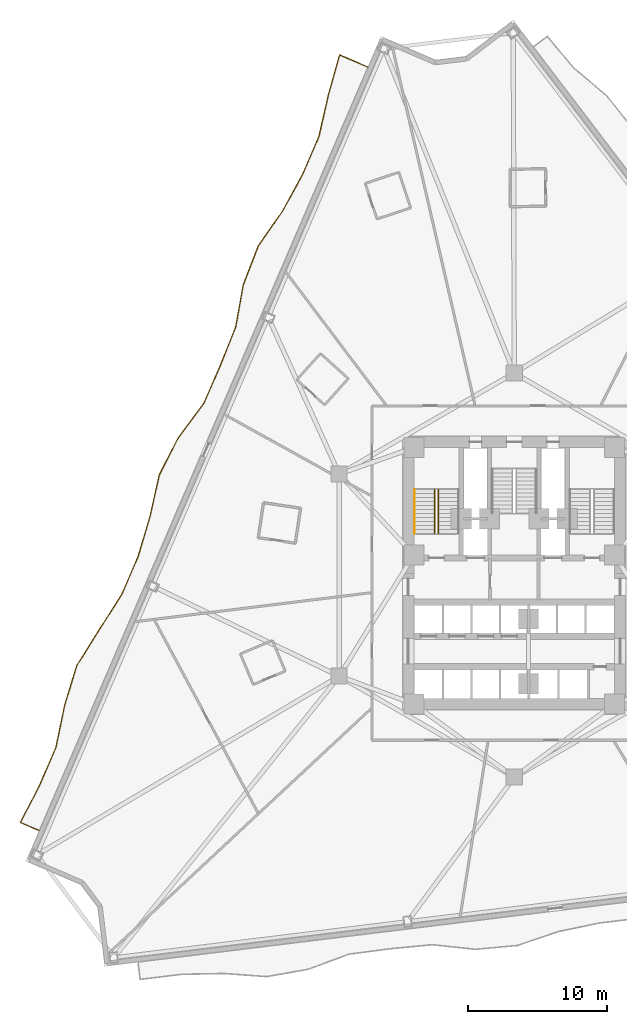
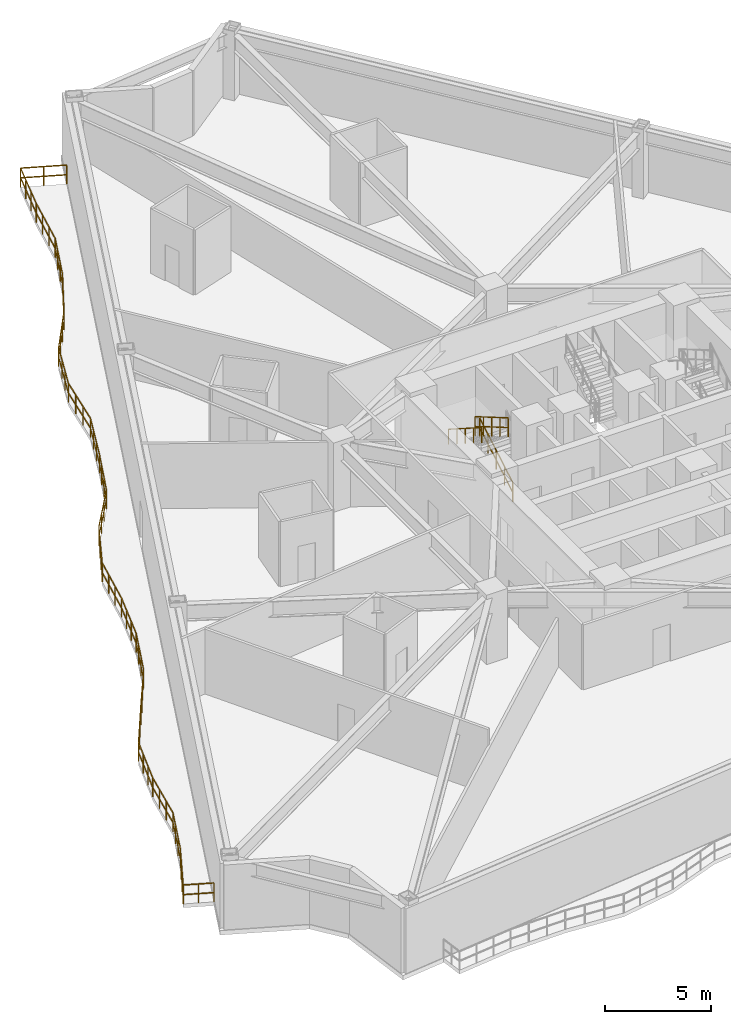
# One storey, part 10 of 12: 4 railings.
"""IFC4 building model written with IfcOpenShell, lengths in metres."""

from ifc_helpers import new_model, si_unit, direction, frame, origin, origin_2d, place, context, subcontext, project, spatial, rectangle, extrude, material, type_object, element, save


model = new_model("IFC4")

# Units and contexts
model_context = context("Model", 3, precision=1e-05, world=origin(), true_north=direction((0.0, 1.0)))
body_context = subcontext(model_context, "Body", "Model", "MODEL_VIEW")
ifc_project = project(units=[si_unit("LENGTHUNIT", "METRE"), si_unit("AREAUNIT", "SQUARE_METRE"), si_unit("VOLUMEUNIT", "CUBIC_METRE"), si_unit("PLANEANGLEUNIT", "RADIAN"), si_unit("MASSUNIT", "GRAM", prefix="KILO")], contexts=[model_context])

# Site, building, storey
site_placement = place(None, origin())
site = spatial("IfcSite", under=ifc_project, at=site_placement, CompositionType="ELEMENT")
building_placement = place(site_placement, origin())
building = spatial("IfcBuilding", under=site, at=building_placement, Name="Apsidion Concourse Tower", CompositionType="ELEMENT")
storey_placement = place(building_placement, frame((0.0, 0.0, 83.0)))
storey = spatial("IfcBuildingStorey", under=building, at=storey_placement, Name="L18", CompositionType="ELEMENT", Elevation=83.0)

# Railings
ifc_material = material(Name="Brushed stainless steel 316", Category="steel")
railing_type_1 = type_object("IfcRailingType", Name="RL-BAL-1120", PredefinedType="BALUSTRADE", material=ifc_material)
railing_1_placement = place(storey_placement, frame((-34.10107421875, -18.32958984375, 0.0)))
element("IfcRailing", 1, at=railing_1_placement, inside=storey, type_object=railing_type_1, Name="L18 Face 1 Rippling Balcony Balustrade", PredefinedType="BALUSTRADE", context=body_context, shape_type="SweptSolid", body=[
    extrude(rectangle(XDim=0.048095703125, YDim=0.048095703125, at=origin_2d()), frame((0.0, 0.0, 1.09619140625), z_axis=(-0.918531049472, 0.39534884742, 0.0), x_axis=(-0.39534884742, -0.918531049472, 0.0)), (0.0, 0.0, 1.0), 1.462890625),
    extrude(rectangle(XDim=0.048095703125, YDim=0.048095703125, at=origin_2d()), frame((0.0, 0.0, 0.5361328125), z_axis=(-0.918531049472, 0.39534884742, 0.0), x_axis=(-0.39534884742, -0.918531049472, 0.0)), (0.0, 0.0, 1.0), 1.462890625),
    extrude(rectangle(XDim=0.048095703125, YDim=0.048095703125, at=origin_2d()), frame((-1.34375, 0.578369140625, 1.09619140625), z_axis=(0.459871490877, 0.887985479543, 0.0), x_axis=(-0.887985479543, 0.459871490877, 0.0)), (0.0, 0.0, 1.0), 2.990478515625),
    extrude(rectangle(XDim=0.048095703125, YDim=0.048095703125, at=origin_2d()), frame((-1.34375, 0.578369140625, 0.5361328125), z_axis=(0.459871490877, 0.887985479543, 0.0), x_axis=(-0.887985479543, 0.459871490877, 0.0)), (0.0, 0.0, 1.0), 2.990478515625),
    extrude(rectangle(XDim=0.048095703125, YDim=0.048095703125, at=origin_2d()), frame((0.031494140625, 3.23388671875, 1.09619140625), z_axis=(0.395380675093, 0.918517349734, 0.0), x_axis=(-0.918517349734, 0.395380675093, 0.0)), (0.0, 0.0, 1.0), 2.983154296875),
    extrude(rectangle(XDim=0.048095703125, YDim=0.048095703125, at=origin_2d()), frame((0.031494140625, 3.23388671875, 0.5361328125), z_axis=(0.395380675093, 0.918517349734, 0.0), x_axis=(-0.918517349734, 0.395380675093, 0.0)), (0.0, 0.0, 1.0), 2.983154296875),
    extrude(rectangle(XDim=0.048095703125, YDim=0.048095703125, at=origin_2d()), frame((1.2109375, 5.973876953125, 1.09619140625), z_axis=(0.201677799553, 0.979451920804, 0.0), x_axis=(-0.979451920804, 0.201677799553, 0.0)), (0.0, 0.0, 1.0), 3.045654296875),
    extrude(rectangle(XDim=0.048095703125, YDim=0.048095703125, at=origin_2d()), frame((1.2109375, 5.973876953125, 0.5361328125), z_axis=(0.201677799553, 0.979451920804, 0.0), x_axis=(-0.979451920804, 0.201677799553, 0.0)), (0.0, 0.0, 1.0), 3.045654296875),
    extrude(rectangle(XDim=0.048095703125, YDim=0.048095703125, at=origin_2d()), frame((1.8251953125, 8.95703125, 1.09619140625), z_axis=(0.291718344257, 0.9565042643, 0.0), x_axis=(-0.9565042643, 0.291718344257, 0.0)), (0.0, 0.0, 1.0), 3.001220703125),
    extrude(rectangle(XDim=0.048095703125, YDim=0.048095703125, at=origin_2d()), frame((1.8251953125, 8.95703125, 0.5361328125), z_axis=(0.291718344257, 0.9565042643, 0.0), x_axis=(-0.9565042643, 0.291718344257, 0.0)), (0.0, 0.0, 1.0), 3.001220703125),
    extrude(rectangle(XDim=0.048095703125, YDim=0.048095703125, at=origin_2d()), frame((2.70068359375, 11.82763671875, 1.09619140625), z_axis=(0.530500569664, 0.847684579066, 0.0), x_axis=(-0.847684579066, 0.530500569664, 0.0)), (0.0, 0.0, 1.0), 3.01806640625),
    extrude(rectangle(XDim=0.048095703125, YDim=0.048095703125, at=origin_2d()), frame((2.70068359375, 11.82763671875, 0.5361328125), z_axis=(0.530500569664, 0.847684579066, 0.0), x_axis=(-0.847684579066, 0.530500569664, 0.0)), (0.0, 0.0, 1.0), 3.01806640625),
    extrude(rectangle(XDim=0.048095703125, YDim=0.048095703125, at=origin_2d()), frame((4.3017578125, 14.385986328125, 1.09619140625), z_axis=(0.538359003086, 0.842715600779, 0.0), x_axis=(-0.842715600779, 0.538359003086, 0.0)), (0.0, 0.0, 1.0), 3.0224609375),
    extrude(rectangle(XDim=0.048095703125, YDim=0.048095703125, at=origin_2d()), frame((4.3017578125, 14.385986328125, 0.5361328125), z_axis=(0.538359003086, 0.842715600779, 0.0), x_axis=(-0.842715600779, 0.538359003086, 0.0)), (0.0, 0.0, 1.0), 3.0224609375),
    extrude(rectangle(XDim=0.048095703125, YDim=0.048095703125, at=origin_2d()), frame((5.928955078125, 16.93310546875, 1.09619140625), z_axis=(0.395410399338, 0.918504554205, 0.0), x_axis=(-0.918504554205, 0.395410399338, 0.0)), (0.0, 0.0, 1.0), 2.98291015625),
    extrude(rectangle(XDim=0.048095703125, YDim=0.048095703125, at=origin_2d()), frame((5.928955078125, 16.93310546875, 0.5361328125), z_axis=(0.395410399338, 0.918504554205, 0.0), x_axis=(-0.918504554205, 0.395410399338, 0.0)), (0.0, 0.0, 1.0), 2.98291015625),
    extrude(rectangle(XDim=0.048095703125, YDim=0.048095703125, at=origin_2d()), frame((7.1083984375, 19.6728515625, 1.09619140625), z_axis=(0.284968249716, 0.958536956332, 0.0), x_axis=(-0.958536956332, 0.284968249716, 0.0)), (0.0, 0.0, 1.0), 3.003662109375),
    extrude(rectangle(XDim=0.048095703125, YDim=0.048095703125, at=origin_2d()), frame((7.1083984375, 19.6728515625, 0.5361328125), z_axis=(0.284968249716, 0.958536956332, 0.0), x_axis=(-0.958536956332, 0.284968249716, 0.0)), (0.0, 0.0, 1.0), 3.003662109375),
    extrude(rectangle(XDim=0.048095703125, YDim=0.048095703125, at=origin_2d()), frame((7.96435546875, 22.552001953125, 1.09619140625), z_axis=(0.217534982287, 0.97605252496, 0.0), x_axis=(-0.97605252496, 0.217534982287, 0.0)), (0.0, 0.0, 1.0), 3.035888671875),
    extrude(rectangle(XDim=0.048095703125, YDim=0.048095703125, at=origin_2d()), frame((7.96435546875, 22.552001953125, 0.5361328125), z_axis=(0.217534982287, 0.97605252496, 0.0), x_axis=(-0.97605252496, 0.217534982287, 0.0)), (0.0, 0.0, 1.0), 3.035888671875),
    extrude(rectangle(XDim=0.048095703125, YDim=0.048095703125, at=origin_2d()), frame((8.624755859375, 25.51513671875, 1.09619140625), z_axis=(0.452824232773, 0.891599806087, 0.0), x_axis=(-0.891599806087, 0.452824232773, 0.0)), (0.0, 0.0, 1.0), 2.989013671875),
    extrude(rectangle(XDim=0.048095703125, YDim=0.048095703125, at=origin_2d()), frame((8.624755859375, 25.51513671875, 0.5361328125), z_axis=(0.452824232773, 0.891599806087, 0.0), x_axis=(-0.891599806087, 0.452824232773, 0.0)), (0.0, 0.0, 1.0), 2.989013671875),
    extrude(rectangle(XDim=0.048095703125, YDim=0.048095703125, at=origin_2d()), frame((9.978271484375, 28.18017578125, 1.09619140625), z_axis=(0.597960005297, 0.801525939733, 0.0), x_axis=(-0.801525939733, 0.597960005297, 0.0)), (0.0, 0.0, 1.0), 3.066650390625),
    extrude(rectangle(XDim=0.048095703125, YDim=0.048095703125, at=origin_2d()), frame((9.978271484375, 28.18017578125, 0.5361328125), z_axis=(0.597960005297, 0.801525939733, 0.0), x_axis=(-0.801525939733, 0.597960005297, 0.0)), (0.0, 0.0, 1.0), 3.066650390625),
    extrude(rectangle(XDim=0.048095703125, YDim=0.048095703125, at=origin_2d()), frame((11.81201171875, 30.63818359375, 1.09619140625), z_axis=(0.400191935182, 0.916431347683, 0.0), x_axis=(-0.916431347683, 0.400191935182, 0.0)), (0.0, 0.0, 1.0), 2.983154296875),
    extrude(rectangle(XDim=0.048095703125, YDim=0.048095703125, at=origin_2d()), frame((11.81201171875, 30.63818359375, 0.5361328125), z_axis=(0.400191935182, 0.916431347683, 0.0), x_axis=(-0.916431347683, 0.400191935182, 0.0)), (0.0, 0.0, 1.0), 2.983154296875),
    extrude(rectangle(XDim=0.048095703125, YDim=0.048095703125, at=origin_2d()), frame((13.005859375, 33.3720703125, 1.09619140625), z_axis=(0.370727555492, 0.928741664619, 0.0), x_axis=(-0.928741664619, 0.370727555492, 0.0)), (0.0, 0.0, 1.0), 2.98388671875),
    extrude(rectangle(XDim=0.048095703125, YDim=0.048095703125, at=origin_2d()), frame((13.005859375, 33.3720703125, 0.5361328125), z_axis=(0.370727555492, 0.928741664619, 0.0), x_axis=(-0.928741664619, 0.370727555492, 0.0)), (0.0, 0.0, 1.0), 2.98388671875),
    extrude(rectangle(XDim=0.048095703125, YDim=0.048095703125, at=origin_2d()), frame((14.112060546875, 36.143310546875, 1.09619140625), z_axis=(0.175721682971, 0.984439886501, 0.0), x_axis=(-0.984439886501, 0.175721682971, 0.0)), (0.0, 0.0, 1.0), 3.0634765625),
    extrude(rectangle(XDim=0.048095703125, YDim=0.048095703125, at=origin_2d()), frame((14.112060546875, 36.143310546875, 0.5361328125), z_axis=(0.175721682971, 0.984439886501, 0.0), x_axis=(-0.984439886501, 0.175721682971, 0.0)), (0.0, 0.0, 1.0), 3.0634765625),
    extrude(rectangle(XDim=0.048095703125, YDim=0.048095703125, at=origin_2d()), frame((14.650390625, 39.1591796875, 1.09619140625), z_axis=(0.360025640688, 0.932942408752, 0.0), x_axis=(-0.932942408752, 0.360025640688, 0.0)), (0.0, 0.0, 1.0), 2.985107421875),
    extrude(rectangle(XDim=0.048095703125, YDim=0.048095703125, at=origin_2d()), frame((14.650390625, 39.1591796875, 0.5361328125), z_axis=(0.360025640688, 0.932942408752, 0.0), x_axis=(-0.932942408752, 0.360025640688, 0.0)), (0.0, 0.0, 1.0), 2.985107421875),
    extrude(rectangle(XDim=0.048095703125, YDim=0.048095703125, at=origin_2d()), frame((15.72509765625, 41.944091796875, 1.09619140625), z_axis=(0.57128062654, 0.820754802447, 0.0), x_axis=(-0.820754802447, 0.57128062654, 0.0)), (0.0, 0.0, 1.0), 3.04443359375),
    extrude(rectangle(XDim=0.048095703125, YDim=0.048095703125, at=origin_2d()), frame((15.72509765625, 41.944091796875, 0.5361328125), z_axis=(0.57128062654, 0.820754802447, 0.0), x_axis=(-0.820754802447, 0.57128062654, 0.0)), (0.0, 0.0, 1.0), 3.04443359375),
    extrude(rectangle(XDim=0.048095703125, YDim=0.048095703125, at=origin_2d()), frame((17.46435546875, 44.44287109375, 1.09619140625), z_axis=(0.480244476552, 0.877134677653, 0.0), x_axis=(-0.877134677653, 0.480244476552, 0.0)), (0.0, 0.0, 1.0), 2.996337890625),
    extrude(rectangle(XDim=0.048095703125, YDim=0.048095703125, at=origin_2d()), frame((17.46435546875, 44.44287109375, 0.5361328125), z_axis=(0.480244476552, 0.877134677653, 0.0), x_axis=(-0.877134677653, 0.480244476552, 0.0)), (0.0, 0.0, 1.0), 2.996337890625),
    extrude(rectangle(XDim=0.048095703125, YDim=0.048095703125, at=origin_2d()), frame((18.9033203125, 47.071044921875, 1.09619140625), z_axis=(0.395410399338, 0.918504554205, 0.0), x_axis=(-0.918504554205, 0.395410399338, 0.0)), (0.0, 0.0, 1.0), 2.98291015625),
    extrude(rectangle(XDim=0.048095703125, YDim=0.048095703125, at=origin_2d()), frame((18.9033203125, 47.071044921875, 0.5361328125), z_axis=(0.395410399338, 0.918504554205, 0.0), x_axis=(-0.918504554205, 0.395410399338, 0.0)), (0.0, 0.0, 1.0), 2.98291015625),
    extrude(rectangle(XDim=0.048095703125, YDim=0.048095703125, at=origin_2d()), frame((20.082763671875, 49.810791015625, 1.09619140625), z_axis=(0.221461103635, 0.975169205613, 0.0), x_axis=(-0.975169205613, 0.221461103635, 0.0)), (0.0, 0.0, 1.0), 3.033935546875),
    extrude(rectangle(XDim=0.048095703125, YDim=0.048095703125, at=origin_2d()), frame((20.082763671875, 49.810791015625, 0.5361328125), z_axis=(0.221461103635, 0.975169205613, 0.0), x_axis=(-0.975169205613, 0.221461103635, 0.0)), (0.0, 0.0, 1.0), 3.033935546875),
    extrude(rectangle(XDim=0.048095703125, YDim=0.048095703125, at=origin_2d()), frame((20.754638671875, 52.769287109375, 1.09619140625), z_axis=(0.270722082934, 0.962657547528, 0.0), x_axis=(-0.962657547528, 0.270722082934, 0.0)), (0.0, 0.0, 1.0), 3.00927734375),
    extrude(rectangle(XDim=0.048095703125, YDim=0.048095703125, at=origin_2d()), frame((20.754638671875, 52.769287109375, 0.5361328125), z_axis=(0.270722082934, 0.962657547528, 0.0), x_axis=(-0.962657547528, 0.270722082934, 0.0)), (0.0, 0.0, 1.0), 3.00927734375),
    extrude(rectangle(XDim=0.048095703125, YDim=0.048095703125, at=origin_2d()), frame((21.5693359375, 55.666259765625, 1.09619140625), z_axis=(0.918512458829, -0.395392037067, 0.0), x_axis=(0.395392037067, 0.918512458829, 0.0)), (0.0, 0.0, 1.0), 2.199951171875),
    extrude(rectangle(XDim=0.048095703125, YDim=0.048095703125, at=origin_2d()), frame((21.5693359375, 55.666259765625, 0.5361328125), z_axis=(0.918512458829, -0.395392037067, 0.0), x_axis=(0.395392037067, 0.918512458829, 0.0)), (0.0, 0.0, 1.0), 2.199951171875),
    extrude(rectangle(XDim=0.0419921875, YDim=0.0419921875, at=origin_2d()), origin(), (0.0, 0.0, 1.0), 1.072021484375),
    extrude(rectangle(XDim=0.0419921875, YDim=0.0419921875, at=origin_2d()), frame((-0.671875, 0.2890625, 0.0)), (0.0, 0.0, 1.0), 1.072021484375),
    extrude(rectangle(XDim=0.0419921875, YDim=0.0419921875, at=origin_2d()), frame((-1.34375, 0.578369140625, 0.0)), (0.0, 0.0, 1.0), 1.072021484375),
    extrude(rectangle(XDim=0.0419921875, YDim=0.0419921875, at=origin_2d()), frame((-0.88525390625, 1.463623046875, 0.0)), (0.0, 0.0, 1.0), 1.072021484375),
    extrude(rectangle(XDim=0.0419921875, YDim=0.0419921875, at=origin_2d()), frame((-0.427001953125, 2.3486328125, 0.0)), (0.0, 0.0, 1.0), 1.072021484375),
    extrude(rectangle(XDim=0.0419921875, YDim=0.0419921875, at=origin_2d()), frame((0.031494140625, 3.23388671875, 0.0)), (0.0, 0.0, 1.0), 1.072021484375),
    extrude(rectangle(XDim=0.0419921875, YDim=0.0419921875, at=origin_2d()), frame((0.424560546875, 4.147216796875, 0.0)), (0.0, 0.0, 1.0), 1.072021484375),
    extrude(rectangle(XDim=0.0419921875, YDim=0.0419921875, at=origin_2d()), frame((0.81787109375, 5.060546875, 0.0)), (0.0, 0.0, 1.0), 1.072021484375),
    extrude(rectangle(XDim=0.0419921875, YDim=0.0419921875, at=origin_2d()), frame((1.2109375, 5.973876953125, 0.0)), (0.0, 0.0, 1.0), 1.072021484375),
    extrude(rectangle(XDim=0.0419921875, YDim=0.0419921875, at=origin_2d()), frame((1.415771484375, 6.96826171875, 0.0)), (0.0, 0.0, 1.0), 1.072021484375),
    extrude(rectangle(XDim=0.0419921875, YDim=0.0419921875, at=origin_2d()), frame((1.620361328125, 7.962646484375, 0.0)), (0.0, 0.0, 1.0), 1.072021484375),
    extrude(rectangle(XDim=0.0419921875, YDim=0.0419921875, at=origin_2d()), frame((1.8251953125, 8.95703125, 0.0)), (0.0, 0.0, 1.0), 1.072021484375),
    extrude(rectangle(XDim=0.0419921875, YDim=0.0419921875, at=origin_2d()), frame((2.116943359375, 9.913818359375, 0.0)), (0.0, 0.0, 1.0), 1.072021484375),
    extrude(rectangle(XDim=0.0419921875, YDim=0.0419921875, at=origin_2d()), frame((2.408935546875, 10.870849609375, 0.0)), (0.0, 0.0, 1.0), 1.072021484375),
    extrude(rectangle(XDim=0.0419921875, YDim=0.0419921875, at=origin_2d()), frame((2.70068359375, 11.82763671875, 0.0)), (0.0, 0.0, 1.0), 1.072021484375),
    extrude(rectangle(XDim=0.0419921875, YDim=0.0419921875, at=origin_2d()), frame((3.234375, 12.680419921875, 0.0)), (0.0, 0.0, 1.0), 1.072021484375),
    extrude(rectangle(XDim=0.0419921875, YDim=0.0419921875, at=origin_2d()), frame((3.76806640625, 13.533203125, 0.0)), (0.0, 0.0, 1.0), 1.072021484375),
    extrude(rectangle(XDim=0.0419921875, YDim=0.0419921875, at=origin_2d()), frame((4.3017578125, 14.385986328125, 0.0)), (0.0, 0.0, 1.0), 1.072021484375),
    extrude(rectangle(XDim=0.0419921875, YDim=0.0419921875, at=origin_2d()), frame((4.84423828125, 15.235107421875, 0.0)), (0.0, 0.0, 1.0), 1.072021484375),
    extrude(rectangle(XDim=0.0419921875, YDim=0.0419921875, at=origin_2d()), frame((5.386474609375, 16.083984375, 0.0)), (0.0, 0.0, 1.0), 1.072021484375),
    extrude(rectangle(XDim=0.0419921875, YDim=0.0419921875, at=origin_2d()), frame((5.928955078125, 16.93310546875, 0.0)), (0.0, 0.0, 1.0), 1.072021484375),
    extrude(rectangle(XDim=0.0419921875, YDim=0.0419921875, at=origin_2d()), frame((6.322021484375, 17.846435546875, 0.0)), (0.0, 0.0, 1.0), 1.072021484375),
    extrude(rectangle(XDim=0.0419921875, YDim=0.0419921875, at=origin_2d()), frame((6.71533203125, 18.759521484375, 0.0)), (0.0, 0.0, 1.0), 1.072021484375),
    extrude(rectangle(XDim=0.0419921875, YDim=0.0419921875, at=origin_2d()), frame((7.1083984375, 19.6728515625, 0.0)), (0.0, 0.0, 1.0), 1.072021484375),
    extrude(rectangle(XDim=0.0419921875, YDim=0.0419921875, at=origin_2d()), frame((7.393798828125, 20.632568359375, 0.0)), (0.0, 0.0, 1.0), 1.072021484375),
    extrude(rectangle(XDim=0.0419921875, YDim=0.0419921875, at=origin_2d()), frame((7.678955078125, 21.59228515625, 0.0)), (0.0, 0.0, 1.0), 1.072021484375),
    extrude(rectangle(XDim=0.0419921875, YDim=0.0419921875, at=origin_2d()), frame((7.96435546875, 22.552001953125, 0.0)), (0.0, 0.0, 1.0), 1.072021484375),
    extrude(rectangle(XDim=0.0419921875, YDim=0.0419921875, at=origin_2d()), frame((8.1845703125, 23.539794921875, 0.0)), (0.0, 0.0, 1.0), 1.072021484375),
    extrude(rectangle(XDim=0.0419921875, YDim=0.0419921875, at=origin_2d()), frame((8.404541015625, 24.52734375, 0.0)), (0.0, 0.0, 1.0), 1.072021484375),
    extrude(rectangle(XDim=0.0419921875, YDim=0.0419921875, at=origin_2d()), frame((8.624755859375, 25.51513671875, 0.0)), (0.0, 0.0, 1.0), 1.072021484375),
    extrude(rectangle(XDim=0.0419921875, YDim=0.0419921875, at=origin_2d()), frame((9.075927734375, 26.403564453125, 0.0)), (0.0, 0.0, 1.0), 1.072021484375),
    extrude(rectangle(XDim=0.0419921875, YDim=0.0419921875, at=origin_2d()), frame((9.527099609375, 27.291748046875, 0.0)), (0.0, 0.0, 1.0), 1.072021484375),
    extrude(rectangle(XDim=0.0419921875, YDim=0.0419921875, at=origin_2d()), frame((9.978271484375, 28.18017578125, 0.0)), (0.0, 0.0, 1.0), 1.072021484375),
    extrude(rectangle(XDim=0.0419921875, YDim=0.0419921875, at=origin_2d()), frame((10.589599609375, 28.99951171875, 0.0)), (0.0, 0.0, 1.0), 1.072021484375),
    extrude(rectangle(XDim=0.0419921875, YDim=0.0419921875, at=origin_2d()), frame((11.20068359375, 29.81884765625, 0.0)), (0.0, 0.0, 1.0), 1.072021484375),
    extrude(rectangle(XDim=0.0419921875, YDim=0.0419921875, at=origin_2d()), frame((11.81201171875, 30.63818359375, 0.0)), (0.0, 0.0, 1.0), 1.072021484375),
    extrude(rectangle(XDim=0.0419921875, YDim=0.0419921875, at=origin_2d()), frame((12.2099609375, 31.549560546875, 0.0)), (0.0, 0.0, 1.0), 1.072021484375),
    extrude(rectangle(XDim=0.0419921875, YDim=0.0419921875, at=origin_2d()), frame((12.60791015625, 32.460693359375, 0.0)), (0.0, 0.0, 1.0), 1.072021484375),
    extrude(rectangle(XDim=0.0419921875, YDim=0.0419921875, at=origin_2d()), frame((13.005859375, 33.3720703125, 0.0)), (0.0, 0.0, 1.0), 1.072021484375),
    extrude(rectangle(XDim=0.0419921875, YDim=0.0419921875, at=origin_2d()), frame((13.37451171875, 34.2958984375, 0.0)), (0.0, 0.0, 1.0), 1.072021484375),
    extrude(rectangle(XDim=0.0419921875, YDim=0.0419921875, at=origin_2d()), frame((13.743408203125, 35.219482421875, 0.0)), (0.0, 0.0, 1.0), 1.072021484375),
    extrude(rectangle(XDim=0.0419921875, YDim=0.0419921875, at=origin_2d()), frame((14.112060546875, 36.143310546875, 0.0)), (0.0, 0.0, 1.0), 1.072021484375),
    extrude(rectangle(XDim=0.0419921875, YDim=0.0419921875, at=origin_2d()), frame((14.29150390625, 37.148681640625, 0.0)), (0.0, 0.0, 1.0), 1.072021484375),
    extrude(rectangle(XDim=0.0419921875, YDim=0.0419921875, at=origin_2d()), frame((14.470947265625, 38.15380859375, 0.0)), (0.0, 0.0, 1.0), 1.072021484375),
    extrude(rectangle(XDim=0.0419921875, YDim=0.0419921875, at=origin_2d()), frame((14.650390625, 39.1591796875, 0.0)), (0.0, 0.0, 1.0), 1.072021484375),
    extrude(rectangle(XDim=0.0419921875, YDim=0.0419921875, at=origin_2d()), frame((15.008544921875, 40.08740234375, 0.0)), (0.0, 0.0, 1.0), 1.072021484375),
    extrude(rectangle(XDim=0.0419921875, YDim=0.0419921875, at=origin_2d()), frame((15.366943359375, 41.015869140625, 0.0)), (0.0, 0.0, 1.0), 1.072021484375),
    extrude(rectangle(XDim=0.0419921875, YDim=0.0419921875, at=origin_2d()), frame((15.72509765625, 41.944091796875, 0.0)), (0.0, 0.0, 1.0), 1.072021484375),
    extrude(rectangle(XDim=0.0419921875, YDim=0.0419921875, at=origin_2d()), frame((16.304931640625, 42.777099609375, 0.0)), (0.0, 0.0, 1.0), 1.072021484375),
    extrude(rectangle(XDim=0.0419921875, YDim=0.0419921875, at=origin_2d()), frame((16.884521484375, 43.60986328125, 0.0)), (0.0, 0.0, 1.0), 1.072021484375),
    extrude(rectangle(XDim=0.0419921875, YDim=0.0419921875, at=origin_2d()), frame((17.46435546875, 44.44287109375, 0.0)), (0.0, 0.0, 1.0), 1.072021484375),
    extrude(rectangle(XDim=0.0419921875, YDim=0.0419921875, at=origin_2d()), frame((17.944091796875, 45.31884765625, 0.0)), (0.0, 0.0, 1.0), 1.072021484375),
    extrude(rectangle(XDim=0.0419921875, YDim=0.0419921875, at=origin_2d()), frame((18.423583984375, 46.195068359375, 0.0)), (0.0, 0.0, 1.0), 1.072021484375),
    extrude(rectangle(XDim=0.0419921875, YDim=0.0419921875, at=origin_2d()), frame((18.9033203125, 47.071044921875, 0.0)), (0.0, 0.0, 1.0), 1.072021484375),
    extrude(rectangle(XDim=0.0419921875, YDim=0.0419921875, at=origin_2d()), frame((19.29638671875, 47.984375, 0.0)), (0.0, 0.0, 1.0), 1.072021484375),
    extrude(rectangle(XDim=0.0419921875, YDim=0.0419921875, at=origin_2d()), frame((19.689697265625, 48.8974609375, 0.0)), (0.0, 0.0, 1.0), 1.072021484375),
    extrude(rectangle(XDim=0.0419921875, YDim=0.0419921875, at=origin_2d()), frame((20.082763671875, 49.810791015625, 0.0)), (0.0, 0.0, 1.0), 1.072021484375),
    extrude(rectangle(XDim=0.0419921875, YDim=0.0419921875, at=origin_2d()), frame((20.306640625, 50.796875, 0.0)), (0.0, 0.0, 1.0), 1.072021484375),
    extrude(rectangle(XDim=0.0419921875, YDim=0.0419921875, at=origin_2d()), frame((20.53076171875, 51.783203125, 0.0)), (0.0, 0.0, 1.0), 1.072021484375),
    extrude(rectangle(XDim=0.0419921875, YDim=0.0419921875, at=origin_2d()), frame((20.754638671875, 52.769287109375, 0.0)), (0.0, 0.0, 1.0), 1.072021484375),
    extrude(rectangle(XDim=0.0419921875, YDim=0.0419921875, at=origin_2d()), frame((21.026123046875, 53.73486328125, 0.0)), (0.0, 0.0, 1.0), 1.072021484375),
    extrude(rectangle(XDim=0.0419921875, YDim=0.0419921875, at=origin_2d()), frame((21.2978515625, 54.70068359375, 0.0)), (0.0, 0.0, 1.0), 1.072021484375),
    extrude(rectangle(XDim=0.0419921875, YDim=0.0419921875, at=origin_2d()), frame((21.5693359375, 55.666259765625, 0.0)), (0.0, 0.0, 1.0), 1.072021484375),
    extrude(rectangle(XDim=0.0419921875, YDim=0.0419921875, at=origin_2d()), frame((22.57958984375, 55.2314453125, 0.0)), (0.0, 0.0, 1.0), 1.072021484375),
    extrude(rectangle(XDim=0.0419921875, YDim=0.0419921875, at=origin_2d()), frame((23.590087890625, 54.79638671875, 0.0)), (0.0, 0.0, 1.0), 1.072021484375),
])
railing_type_2 = type_object("IfcRailingType", Name="RL-GUARD-1100", PredefinedType="GUARDRAIL", material=ifc_material)
railing_2_placement = place(storey_placement, frame((-5.449951171875, 3.0, 0.166748046875)))
element("IfcRailing", 2, at=railing_2_placement, inside=storey, type_object=railing_type_2, Name="L18 ST1 stair guard 1", PredefinedType="GUARDRAIL", context=body_context, shape_type="SweptSolid", body=[
    extrude(rectangle(XDim=0.048095703125, YDim=0.048095703125, at=origin_2d()), frame((0.0, 0.0, 1.09619140625), z_axis=(0.0, 0.863239559939, 0.504794475164), x_axis=(-1.0, 0.0, 0.0)), (0.0, 0.0, 1.0), 3.631591796875),
    extrude(rectangle(XDim=0.048095703125, YDim=0.048095703125, at=origin_2d()), frame((0.0, 0.0, 0.5361328125), z_axis=(0.0, 0.863239559939, 0.504794475164), x_axis=(-1.0, 0.0, 0.0)), (0.0, 0.0, 1.0), 3.631591796875),
    extrude(rectangle(XDim=0.0419921875, YDim=0.0419921875, at=origin_2d()), origin(), (0.0, 0.0, 1.0), 1.072021484375),
    extrude(rectangle(XDim=0.0419921875, YDim=0.0419921875, at=origin_2d()), frame((0.0, 0.78369140625, 0.458251953125)), (0.0, 0.0, 1.0), 1.072021484375),
    extrude(rectangle(XDim=0.0419921875, YDim=0.0419921875, at=origin_2d()), frame((0.0, 1.5673828125, 0.91650390625)), (0.0, 0.0, 1.0), 1.072021484375),
    extrude(rectangle(XDim=0.0419921875, YDim=0.0419921875, at=origin_2d()), frame((0.0, 2.351318359375, 1.375)), (0.0, 0.0, 1.0), 1.072021484375),
    extrude(rectangle(XDim=0.0419921875, YDim=0.0419921875, at=origin_2d()), frame((0.0, 3.135009765625, 1.833251953125)), (0.0, 0.0, 1.0), 1.072021484375),
])
railing_3_placement = place(storey_placement, frame((-5.699951171875, 6.135009765625, 2.166748046875)))
element("IfcRailing", 3, at=railing_3_placement, inside=storey, type_object=railing_type_2, Name="L18 ST1 stair guard 3", PredefinedType="GUARDRAIL", context=body_context, shape_type="SweptSolid", body=[
    extrude(rectangle(XDim=0.048095703125, YDim=0.048095703125, at=origin_2d()), frame((0.0, 0.0, 1.09619140625), z_axis=(0.0, -0.863239559939, 0.504794475164), x_axis=(1.0, 0.0, 0.0)), (0.0, 0.0, 1.0), 3.631591796875),
    extrude(rectangle(XDim=0.048095703125, YDim=0.048095703125, at=origin_2d()), frame((0.0, 0.0, 0.5361328125), z_axis=(0.0, -0.863239559939, 0.504794475164), x_axis=(1.0, 0.0, 0.0)), (0.0, 0.0, 1.0), 3.631591796875),
    extrude(rectangle(XDim=0.0419921875, YDim=0.0419921875, at=origin_2d()), origin(), (0.0, 0.0, 1.0), 1.072021484375),
    extrude(rectangle(XDim=0.0419921875, YDim=0.0419921875, at=origin_2d()), frame((0.0, -0.78369140625, 0.458251953125)), (0.0, 0.0, 1.0), 1.072021484375),
    extrude(rectangle(XDim=0.0419921875, YDim=0.0419921875, at=origin_2d()), frame((0.0, -1.5673828125, 0.91650390625)), (0.0, 0.0, 1.0), 1.072021484375),
    extrude(rectangle(XDim=0.0419921875, YDim=0.0419921875, at=origin_2d()), frame((0.0, -2.351318359375, 1.375)), (0.0, 0.0, 1.0), 1.072021484375),
    extrude(rectangle(XDim=0.0419921875, YDim=0.0419921875, at=origin_2d()), frame((0.0, -3.135009765625, 1.833251953125)), (0.0, 0.0, 1.0), 1.072021484375),
])
railing_type_3 = type_object("IfcRailingType", Name="RL-HAND-900", PredefinedType="HANDRAIL", material=ifc_material)
railing_4_placement = place(storey_placement, frame((-7.14990234375, 6.135009765625, 2.166748046875)))
element("IfcRailing", 4, at=railing_4_placement, inside=storey, type_object=railing_type_3, Name="L18 ST1 stair handrail 2", PredefinedType="HANDRAIL", context=body_context, shape_type="SweptSolid", body=[
    extrude(rectangle(XDim=0.048095703125, YDim=0.048095703125, at=origin_2d()), frame((0.0, 0.0, 0.8759765625), z_axis=(0.0, -0.843052688722, 0.537830980921), x_axis=(1.0, 0.0, 0.0)), (0.0, 0.0, 1.0), 3.71875),
    extrude(rectangle(XDim=0.0419921875, YDim=0.0419921875, at=origin_2d()), origin(), (0.0, 0.0, 1.0), 0.851806640625),
    extrude(rectangle(XDim=0.0419921875, YDim=0.0419921875, at=origin_2d()), frame((0.0, -0.78369140625, 0.5)), (0.0, 0.0, 1.0), 0.851806640625),
    extrude(rectangle(XDim=0.0419921875, YDim=0.0419921875, at=origin_2d()), frame((0.0, -1.5673828125, 1.0)), (0.0, 0.0, 1.0), 0.851806640625),
    extrude(rectangle(XDim=0.0419921875, YDim=0.0419921875, at=origin_2d()), frame((0.0, -2.351318359375, 1.5)), (0.0, 0.0, 1.0), 0.851806640625),
    extrude(rectangle(XDim=0.0419921875, YDim=0.0419921875, at=origin_2d()), frame((0.0, -3.135009765625, 2.0)), (0.0, 0.0, 1.0), 0.851806640625),
])

save(model, "model.ifc")
